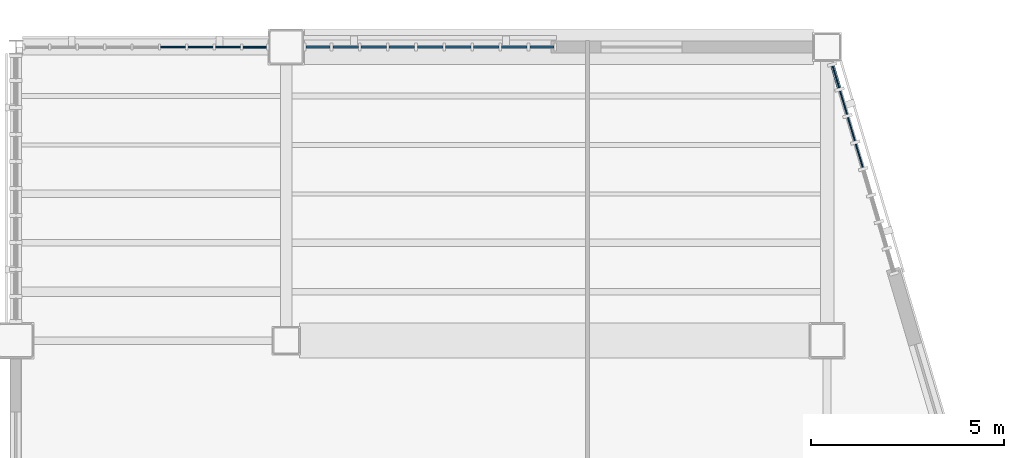
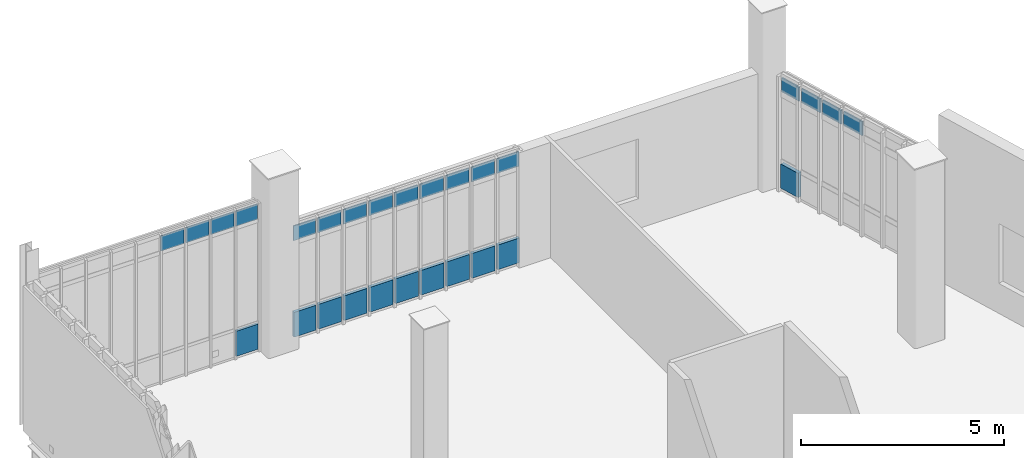
# One storey, part 103 of 127: 28 plates, 3 elements without a shape of their own.
"""IFC4 building model written with IfcOpenShell, lengths in metres."""

import ifcopenshell
import ifcopenshell.guid

model = None  # the IFC model being written
_history = None  # IfcOwnerHistory: only IFC2X3 demands one
_inside = {}  # id of a spatial element -> (the spatial element, [elements in it])
_under = {}  # id of a project, library or spatial element -> (it, [spatial elements below it])
_declared = {}  # id of a project -> (the project, [libraries it declares])
_typed = {}  # id of a type object -> (the type object, [elements of that type])
_made_of = {}  # id of a material, layer set ... -> (it, [elements and type objects made of it])


def new_model(schema):
    """Start an empty IFC model of exactly this schema.

    Asked for "IFC4X3", IfcOpenShell would pick the latest addendum, in which some entities
    have other attributes; the version numbers below select the first issue.
    IFC2X3 requires an IfcOwnerHistory on every rooted entity: one is made here for all.
    """
    global model, _history
    if schema == "IFC4X3":
        model = ifcopenshell.file(schema_version=(4, 3, 0, 0))
    else:
        model = ifcopenshell.file(schema=schema)
    _inside.clear()
    _under.clear()
    _declared.clear()
    _typed.clear()
    _made_of.clear()
    _history = None
    if model.schema == "IFC2X3":
        org = make("IfcOrganization", Name="unknown")
        user = make(
            "IfcPersonAndOrganization",
            ThePerson=make("IfcPerson", FamilyName="unknown"),
            TheOrganization=org,
        )
        app = make(
            "IfcApplication",
            ApplicationDeveloper=org,
            Version="unknown",
            ApplicationFullName="unknown",
            ApplicationIdentifier="unknown",
        )
        _history = make(
            "IfcOwnerHistory",
            OwningUser=user,
            OwningApplication=app,
            ChangeAction="ADDED",
            CreationDate=0,
        )
    return model


def make(cls, **values):
    """One entity of the class cls with the attributes given. An attribute that is None is left unset."""
    return model.create_entity(
        cls, **{name: value for name, value in values.items() if value is not None}
    )


def rooted(cls, **values):
    """An entity with a GlobalId (a new one), such as an element, a storey or a relation."""
    return make(cls, GlobalId=ifcopenshell.guid.new(), OwnerHistory=_history, **values)


def si_unit(unit_type, name, prefix=None):
    """IfcSIUnit, for example si_unit("LENGTHUNIT", "METRE", prefix="MILLI")."""
    return make("IfcSIUnit", UnitType=unit_type, Prefix=prefix, Name=name)


def assignment(units):
    """IfcUnitAssignment: the units of a project."""
    return None if units is None else make("IfcUnitAssignment", Units=units)


def point(xyz):
    """IfcCartesianPoint."""
    return None if xyz is None else make("IfcCartesianPoint", Coordinates=xyz)


def direction(xyz):
    """IfcDirection."""
    return None if xyz is None else make("IfcDirection", DirectionRatios=xyz)


def frame(location, z_axis=None, x_axis=None):
    """IfcAxis2Placement3D, a coordinate frame: its origin and axes. An axis left out is left unset."""
    return make(
        "IfcAxis2Placement3D",
        Location=point(location),
        Axis=direction(z_axis),
        RefDirection=direction(x_axis),
    )


def frame_2d(location, x_axis=None):
    """IfcAxis2Placement2D, a coordinate frame in the plane: its origin and x axis."""
    return make(
        "IfcAxis2Placement2D", Location=point(location), RefDirection=direction(x_axis)
    )


def origin():
    """The frame at (0, 0, 0) with its axes left unset."""
    return frame((0.0, 0.0, 0.0))


def origin_2d():
    """The frame at (0, 0) in the plane with its x axis left unset."""
    return frame_2d((0.0, 0.0))


def place(relative_to, where):
    """IfcLocalPlacement: puts the frame where relative to a parent placement (None: the world)."""
    return make(
        "IfcLocalPlacement", PlacementRelTo=relative_to, RelativePlacement=where
    )


def context(
    kind, dimensions, precision=None, world=None, true_north=None, identifier=None
):
    """IfcGeometricRepresentationContext, for example the 3D "Model" context."""
    return make(
        "IfcGeometricRepresentationContext",
        ContextIdentifier=identifier,
        ContextType=kind,
        CoordinateSpaceDimension=dimensions,
        Precision=precision,
        WorldCoordinateSystem=world,
        TrueNorth=true_north,
    )


def subcontext(parent, identifier, kind, view, scale=None):
    """IfcGeometricRepresentationSubContext, for example "Body" below "Model"."""
    return make(
        "IfcGeometricRepresentationSubContext",
        ContextIdentifier=identifier,
        ContextType=kind,
        ParentContext=parent,
        TargetScale=scale,
        TargetView=view,
    )


def project(units=None, contexts=None):
    """IfcProject with its units and contexts."""
    return rooted(
        "IfcProject",
        Name="project",
        RepresentationContexts=contexts,
        UnitsInContext=assignment(units),
    )


def spatial(cls, under=None, at=None, **own):
    """A site, building, storey or space (cls), placed at a placement, below another one or the project."""
    s = rooted(cls, ObjectPlacement=at, **own)
    if under is not None:
        _under.setdefault(under.id(), (under, []))[1].append(s)
    return s


def profile(cls, at=None, kind="AREA", **sizes):
    """A parametric profile (cls). Its sizes go by their IFC names, for example OverallWidth=200.0."""
    return make(cls, ProfileType=kind, Position=at, **sizes)


def rectangle(**sizes):
    """IfcRectangleProfileDef."""
    return profile("IfcRectangleProfileDef", **sizes)


def extrude(swept, where, along, depth):
    """IfcExtrudedAreaSolid: the profile swept, set in the frame where, extruded along a direction by depth."""
    return make(
        "IfcExtrudedAreaSolid",
        SweptArea=swept,
        Position=where,
        ExtrudedDirection=direction(along),
        Depth=depth,
    )


def shape(context_of_items, identifier, shape_type, items):
    """IfcShapeRepresentation: the items that make up one representation, for example the "Body"."""
    return make(
        "IfcShapeRepresentation",
        ContextOfItems=context_of_items,
        RepresentationIdentifier=identifier,
        RepresentationType=shape_type,
        Items=items,
    )


def material(Name=None, Category=None):
    """IfcMaterial."""
    return make("IfcMaterial", Name=Name, Category=Category)


def layer(
    of_material, thickness, ventilated=None, Name=None, Category=None, Priority=None
):
    """IfcMaterialLayer: one layer of a wall or slab, of a material (None: an air gap)."""
    return make(
        "IfcMaterialLayer",
        Material=of_material,
        LayerThickness=thickness,
        IsVentilated=ventilated,
        Name=Name,
        Category=Category,
        Priority=Priority,
    )


def layer_set(layers, Name=None):
    """IfcMaterialLayerSet."""
    return make("IfcMaterialLayerSet", MaterialLayers=layers, LayerSetName=Name)


def made_of(thing, what):
    """Note that an element or type object is made of a material, layer set ...; save() writes the relation."""
    if what is not None:
        _made_of.setdefault(what.id(), (what, []))[1].append(thing)
    return thing


def type_object(cls, material=None, **own):
    """A type object (cls), such as IfcWallType, which elements share."""
    return made_of(rooted(cls, **own), material)


def element(
    cls,
    number,
    at=None,
    inside=None,
    cuts=None,
    type_object=None,
    material=None,
    context=None,
    identifier="Body",
    shape_type=None,
    held_by="IfcProductDefinitionShape",
    body=None,
    shapes=None,
    **own,
):
    """One element of the class cls, such as IfcWall. Its Tag is "e" and its number.

    at: its placement. inside: the storey or other place that contains it. cuts: it is an
    opening in that element (IfcRelVoidsElement). A single representation is given by context,
    identifier, shape_type and body (its items); several are given by shapes. held_by: the class
    of the entity that holds the representations. save() writes the other relations.
    """
    e = rooted(cls, Tag="e%d" % number, ObjectPlacement=at, **own)
    if body is not None:
        shapes = [shape(context, identifier, shape_type, body)]
    if shapes is not None:
        e.Representation = make(held_by, Representations=shapes)
    if inside is not None:
        _inside.setdefault(inside.id(), (inside, []))[1].append(e)
    if cuts is not None:
        rooted(
            "IfcRelVoidsElement", RelatingBuildingElement=cuts, RelatedOpeningElement=e
        )
    if type_object is not None:
        _typed.setdefault(type_object.id(), (type_object, []))[1].append(e)
    return made_of(e, material)


def aggregate(whole, parts):
    """IfcRelAggregates: a whole, such as a stair, and the parts it consists of."""
    return rooted("IfcRelAggregates", RelatingObject=whole, RelatedObjects=parts)


def save(model, path):
    """Write the relations noted so far, then the file.

    IfcRelAggregates (storeys below a building ...), IfcRelContainedInSpatialStructure (elements
    in a storey), IfcRelDefinesByType, IfcRelAssociatesMaterial and IfcRelDeclares: one each for
    every whole, place, type object, material and project.
    """
    for whole, parts in _under.values():
        aggregate(whole, parts)
    for where, things in _inside.values():
        rooted(
            "IfcRelContainedInSpatialStructure",
            RelatedElements=things,
            RelatingStructure=where,
        )
    for kind, things in _typed.values():
        rooted("IfcRelDefinesByType", RelatedObjects=things, RelatingType=kind)
    for what, things in _made_of.values():
        rooted("IfcRelAssociatesMaterial", RelatedObjects=things, RelatingMaterial=what)
    for by, libraries in _declared.values():
        rooted("IfcRelDeclares", RelatingContext=by, RelatedDefinitions=libraries)
    model.write(path)


model = new_model("IFC4")

# Units and contexts
model_context = context("Model", 3, precision=1e-05, world=origin(), true_north=direction((0.0, 1.0)))
body_context = subcontext(model_context, "Body", "Model", "MODEL_VIEW")
ifc_project = project(units=[si_unit("LENGTHUNIT", "METRE"), si_unit("AREAUNIT", "SQUARE_METRE"), si_unit("VOLUMEUNIT", "CUBIC_METRE"), si_unit("PLANEANGLEUNIT", "RADIAN"), si_unit("MASSUNIT", "GRAM", prefix="KILO")], contexts=[model_context])

# Site, building, storey
site_placement = place(None, origin())
site = spatial("IfcSite", under=ifc_project, at=site_placement, CompositionType="ELEMENT")
building_placement = place(site_placement, origin())
building = spatial("IfcBuilding", under=site, at=building_placement, Name="Larkvane Passage Sports Hall", CompositionType="ELEMENT")
storey_placement = place(building_placement, frame((0.0, 0.0, 5.39990234375)))
storey = spatial("IfcBuildingStorey", under=building, at=storey_placement, Name="L01", CompositionType="ELEMENT", Elevation=5.39990234375)

# Curtain wall, plate
ifc_material_1 = material(Name="Thermally broken aluminium and low-E glazing", Category="aluminium")
curtain_wall_type_1 = type_object("IfcCurtainWallType", Name="CW-STICK-FOYER", PredefinedType="USERDEFINED", material=ifc_material_1)
curtain_wall_1_placement = place(storey_placement, origin())
curtain_wall_1 = element("IfcCurtainWall", 1, at=curtain_wall_1_placement, inside=storey, type_object=curtain_wall_type_1, Name="Curtain wall CW5-L01-054", ObjectType="STICK CURTAIN WALL", PredefinedType="USERDEFINED")
ifc_material_2 = material(Name="Fire-stopped shadow-box spandrel panel")
ifc_layer_1 = layer(ifc_material_2, 0.10498046875)
ifc_layer_set_1 = layer_set([ifc_layer_1], Name="Fire-stopped shadow-box spandrel panel")
plate_type_1 = type_object("IfcPlateType", Name="CWP-SPD-105", PredefinedType="CURTAIN_PANEL", material=ifc_layer_set_1)
plate_1_placement = place(storey_placement, frame((145.830078125, 98.424560546875, 0.080078125), z_axis=(0.0, 0.0, 1.0), x_axis=(0.28436317806, -0.958716633299, 0.0)))
plate_1 = element("IfcPlate", 2, at=plate_1_placement, type_object=plate_type_1, Name="CW-03 panel 1.1", PredefinedType="CURTAIN_PANEL", context=body_context, shape_type="SweptSolid", body=[
    extrude(rectangle(XDim=0.595458984375, YDim=0.10498046875, at=origin_2d()), origin(), (0.0, 0.0, 1.0), 0.72998046875),
])

curtain_wall_type_2 = type_object("IfcCurtainWallType", Name="CW-UNIT-COURT", PredefinedType="USERDEFINED", material=ifc_material_1)
curtain_wall_2_placement = place(storey_placement, origin())
curtain_wall_2 = element("IfcCurtainWall", 3, at=curtain_wall_2_placement, inside=storey, type_object=curtain_wall_type_2, Name="Curtain wall CW5-L01-052", ObjectType="UNITISED CURTAIN WALL", PredefinedType="USERDEFINED")
ifc_material_3 = material(Name="Insulated aluminium spandrel panel", Category="aluminium")
ifc_layer_2 = layer(ifc_material_3, 0.06494140625)
ifc_layer_set_2 = layer_set([ifc_layer_2], Name="Insulated aluminium spandrel panel")
plate_type_2 = type_object("IfcPlateType", Name="CWP-SPD-65", PredefinedType="CURTAIN_PANEL", material=ifc_layer_set_2)
plate_2_placement = place(storey_placement, frame((130.784423828125, 99.199951171875, 0.06005859375), z_axis=(0.0, 0.0, 1.0), x_axis=(1.0, 0.0, 0.0)))
plate_2 = element("IfcPlate", 4, at=plate_2_placement, type_object=plate_type_2, Name="CW-01 panel 9.1", PredefinedType="CURTAIN_PANEL", context=body_context, shape_type="SweptSolid", body=[
    extrude(rectangle(XDim=0.619140625, YDim=0.06494140625, at=origin_2d()), origin(), (0.0, 0.0, 1.0), 0.760009765625),
])

# Curtain wall, plates
curtain_wall_type_3 = type_object("IfcCurtainWallType", Name="CW-UNIT-VEIL", PredefinedType="USERDEFINED", material=ifc_material_1)
curtain_wall_3_placement = place(storey_placement, origin())
curtain_wall_3 = element("IfcCurtainWall", 5, at=curtain_wall_3_placement, inside=storey, type_object=curtain_wall_type_3, Name="Curtain wall CW5-L01-053", ObjectType="UNITISED CURTAIN WALL", PredefinedType="USERDEFINED")
ifc_material_4 = material(Name="Mineral-wool insulated spandrel cassette")
ifc_layer_3 = layer(ifc_material_4, 0.0849609375)
ifc_layer_set_3 = layer_set([ifc_layer_3], Name="Mineral-wool insulated spandrel cassette")
plate_type_3 = type_object("IfcPlateType", Name="CWP-SPD-85", PredefinedType="CURTAIN_PANEL", material=ifc_layer_set_3)
plate_3_placement = place(storey_placement, frame((132.427490234375, 99.199951171875, 0.070068359375), z_axis=(0.0, 0.0, 1.0), x_axis=(1.0, 0.0, 0.0)))
plate_3 = element("IfcPlate", 6, at=plate_3_placement, type_object=plate_type_3, Name="CW-02 panel 1.1", PredefinedType="CURTAIN_PANEL", context=body_context, shape_type="SweptSolid", body=[
    extrude(rectangle(XDim=0.623291015625, YDim=0.0849609375, at=origin_2d()), origin(), (0.0, 0.0, 1.0), 0.7451171875),
])
plate_4_placement = place(storey_placement, frame((133.138427734375, 99.199951171875, 0.070068359375), z_axis=(0.0, 0.0, 1.0), x_axis=(1.0, 0.0, 0.0)))
plate_4 = element("IfcPlate", 7, at=plate_4_placement, type_object=plate_type_3, Name="CW-02 panel 2.1", PredefinedType="CURTAIN_PANEL", context=body_context, shape_type="SweptSolid", body=[
    extrude(rectangle(XDim=0.658203125, YDim=0.0849609375, at=origin_2d()), origin(), (0.0, 0.0, 1.0), 0.7451171875),
])
plate_5_placement = place(storey_placement, frame((133.866455078125, 99.199951171875, 0.070068359375), z_axis=(0.0, 0.0, 1.0), x_axis=(1.0, 0.0, 0.0)))
plate_5 = element("IfcPlate", 8, at=plate_5_placement, type_object=plate_type_3, Name="CW-02 panel 3.1", PredefinedType="CURTAIN_PANEL", context=body_context, shape_type="SweptSolid", body=[
    extrude(rectangle(XDim=0.658203125, YDim=0.0849609375, at=origin_2d()), origin(), (0.0, 0.0, 1.0), 0.7451171875),
])
plate_6_placement = place(storey_placement, frame((134.5947265625, 99.199951171875, 0.070068359375), z_axis=(0.0, 0.0, 1.0), x_axis=(1.0, 0.0, 0.0)))
plate_6 = element("IfcPlate", 9, at=plate_6_placement, type_object=plate_type_3, Name="CW-02 panel 4.1", PredefinedType="CURTAIN_PANEL", context=body_context, shape_type="SweptSolid", body=[
    extrude(rectangle(XDim=0.658203125, YDim=0.0849609375, at=origin_2d()), origin(), (0.0, 0.0, 1.0), 0.7451171875),
])
plate_7_placement = place(storey_placement, frame((135.322998046875, 99.199951171875, 0.070068359375), z_axis=(0.0, 0.0, 1.0), x_axis=(1.0, 0.0, 0.0)))
plate_7 = element("IfcPlate", 10, at=plate_7_placement, type_object=plate_type_3, Name="CW-02 panel 5.1", PredefinedType="CURTAIN_PANEL", context=body_context, shape_type="SweptSolid", body=[
    extrude(rectangle(XDim=0.658203125, YDim=0.0849609375, at=origin_2d()), origin(), (0.0, 0.0, 1.0), 0.7451171875),
])
plate_8_placement = place(storey_placement, frame((136.05126953125, 99.199951171875, 0.070068359375), z_axis=(0.0, 0.0, 1.0), x_axis=(1.0, 0.0, 0.0)))
plate_8 = element("IfcPlate", 11, at=plate_8_placement, type_object=plate_type_3, Name="CW-02 panel 6.1", PredefinedType="CURTAIN_PANEL", context=body_context, shape_type="SweptSolid", body=[
    extrude(rectangle(XDim=0.658203125, YDim=0.0849609375, at=origin_2d()), origin(), (0.0, 0.0, 1.0), 0.7451171875),
])
plate_9_placement = place(storey_placement, frame((136.779541015625, 99.199951171875, 0.070068359375), z_axis=(0.0, 0.0, 1.0), x_axis=(1.0, 0.0, 0.0)))
plate_9 = element("IfcPlate", 12, at=plate_9_placement, type_object=plate_type_3, Name="CW-02 panel 7.1", PredefinedType="CURTAIN_PANEL", context=body_context, shape_type="SweptSolid", body=[
    extrude(rectangle(XDim=0.658203125, YDim=0.0849609375, at=origin_2d()), origin(), (0.0, 0.0, 1.0), 0.7451171875),
])
plate_10_placement = place(storey_placement, frame((137.507568359375, 99.199951171875, 0.070068359375), z_axis=(0.0, 0.0, 1.0), x_axis=(1.0, 0.0, 0.0)))
plate_10 = element("IfcPlate", 13, at=plate_10_placement, type_object=plate_type_3, Name="CW-02 panel 8.1", PredefinedType="CURTAIN_PANEL", context=body_context, shape_type="SweptSolid", body=[
    extrude(rectangle(XDim=0.658203125, YDim=0.0849609375, at=origin_2d()), origin(), (0.0, 0.0, 1.0), 0.7451171875),
])
plate_11_placement = place(storey_placement, frame((138.218505859375, 99.199951171875, 0.070068359375), z_axis=(0.0, 0.0, 1.0), x_axis=(1.0, 0.0, 0.0)))
plate_11 = element("IfcPlate", 14, at=plate_11_placement, type_object=plate_type_3, Name="CW-02 panel 9.1", PredefinedType="CURTAIN_PANEL", context=body_context, shape_type="SweptSolid", body=[
    extrude(rectangle(XDim=0.623291015625, YDim=0.0849609375, at=origin_2d()), origin(), (0.0, 0.0, 1.0), 0.7451171875),
])

# Plate
ifc_material_5 = material(Name="Solar-control low-E double glazing", Category="glass")
ifc_layer_4 = layer(ifc_material_5, 0.028076171875)
ifc_layer_set_4 = layer_set([ifc_layer_4], Name="Solar-control low-E double glazing")
plate_type_4 = type_object("IfcPlateType", Name="CWP-VIS-28", PredefinedType="CURTAIN_PANEL", material=ifc_layer_set_4)
plate_12_placement = place(storey_placement, frame((128.671630859375, 99.199951171875, 3.960205078125), z_axis=(0.0, 0.0, 1.0), x_axis=(1.0, 0.0, 0.0)))
plate_12 = element("IfcPlate", 15, at=plate_12_placement, type_object=plate_type_4, Name="CW-01 panel 6.3", PredefinedType="CURTAIN_PANEL", context=body_context, shape_type="SweptSolid", body=[
    extrude(rectangle(XDim=0.649169921875, YDim=0.028076171875, at=origin_2d()), origin(), (0.0, 0.0, 1.0), 0.4599609375),
])

plate_13_placement = place(storey_placement, frame((129.380859375, 99.199951171875, 3.960205078125), z_axis=(0.0, 0.0, 1.0), x_axis=(1.0, 0.0, 0.0)))
plate_13 = element("IfcPlate", 16, at=plate_13_placement, type_object=plate_type_4, Name="CW-01 panel 7.3", PredefinedType="CURTAIN_PANEL", context=body_context, shape_type="SweptSolid", body=[
    extrude(rectangle(XDim=0.649169921875, YDim=0.028076171875, at=origin_2d()), origin(), (0.0, 0.0, 1.0), 0.4599609375),
])

plate_14_placement = place(storey_placement, frame((130.090087890625, 99.199951171875, 3.960205078125), z_axis=(0.0, 0.0, 1.0), x_axis=(1.0, 0.0, 0.0)))
plate_14 = element("IfcPlate", 17, at=plate_14_placement, type_object=plate_type_4, Name="CW-01 panel 8.3", PredefinedType="CURTAIN_PANEL", context=body_context, shape_type="SweptSolid", body=[
    extrude(rectangle(XDim=0.649169921875, YDim=0.028076171875, at=origin_2d()), origin(), (0.0, 0.0, 1.0), 0.4599609375),
])

plate_15_placement = place(storey_placement, frame((130.784423828125, 99.199951171875, 3.960205078125), z_axis=(0.0, 0.0, 1.0), x_axis=(1.0, 0.0, 0.0)))
plate_15 = element("IfcPlate", 18, at=plate_15_placement, type_object=plate_type_4, Name="CW-01 panel 9.3", PredefinedType="CURTAIN_PANEL", context=body_context, shape_type="SweptSolid", body=[
    extrude(rectangle(XDim=0.619140625, YDim=0.028076171875, at=origin_2d()), origin(), (0.0, 0.0, 1.0), 0.4599609375),
])

aggregate(curtain_wall_2, [plate_12, plate_13, plate_14, plate_2, plate_15])

ifc_material_6 = material(Name="Laminated acoustic low-E glazing", Category="glass")
ifc_layer_5 = layer(ifc_material_6, 0.031982421875)
ifc_layer_set_5 = layer_set([ifc_layer_5], Name="Laminated acoustic low-E glazing")
plate_type_5 = type_object("IfcPlateType", Name="CWP-VIS-32", PredefinedType="CURTAIN_PANEL", material=ifc_layer_set_5)
plate_16_placement = place(storey_placement, frame((132.427490234375, 99.199951171875, 2.953125), z_axis=(0.0, 0.0, 1.0), x_axis=(1.0, 0.0, 0.0)))
plate_16 = element("IfcPlate", 19, at=plate_16_placement, type_object=plate_type_5, Name="CW-02 panel 1.3", PredefinedType="CURTAIN_PANEL", context=body_context, shape_type="SweptSolid", body=[
    extrude(rectangle(XDim=0.623291015625, YDim=0.031982421875, at=origin_2d()), origin(), (0.0, 0.0, 1.0), 0.445068359375),
])

plate_17_placement = place(storey_placement, frame((133.138427734375, 99.199951171875, 2.953125), z_axis=(0.0, 0.0, 1.0), x_axis=(1.0, 0.0, 0.0)))
plate_17 = element("IfcPlate", 20, at=plate_17_placement, type_object=plate_type_5, Name="CW-02 panel 2.3", PredefinedType="CURTAIN_PANEL", context=body_context, shape_type="SweptSolid", body=[
    extrude(rectangle(XDim=0.658203125, YDim=0.031982421875, at=origin_2d()), origin(), (0.0, 0.0, 1.0), 0.445068359375),
])

plate_18_placement = place(storey_placement, frame((133.866455078125, 99.199951171875, 2.953125), z_axis=(0.0, 0.0, 1.0), x_axis=(1.0, 0.0, 0.0)))
plate_18 = element("IfcPlate", 21, at=plate_18_placement, type_object=plate_type_5, Name="CW-02 panel 3.3", PredefinedType="CURTAIN_PANEL", context=body_context, shape_type="SweptSolid", body=[
    extrude(rectangle(XDim=0.658203125, YDim=0.031982421875, at=origin_2d()), origin(), (0.0, 0.0, 1.0), 0.445068359375),
])

plate_19_placement = place(storey_placement, frame((134.5947265625, 99.199951171875, 2.953125), z_axis=(0.0, 0.0, 1.0), x_axis=(1.0, 0.0, 0.0)))
plate_19 = element("IfcPlate", 22, at=plate_19_placement, type_object=plate_type_5, Name="CW-02 panel 4.3", PredefinedType="CURTAIN_PANEL", context=body_context, shape_type="SweptSolid", body=[
    extrude(rectangle(XDim=0.658203125, YDim=0.031982421875, at=origin_2d()), origin(), (0.0, 0.0, 1.0), 0.445068359375),
])

plate_20_placement = place(storey_placement, frame((135.322998046875, 99.199951171875, 2.953125), z_axis=(0.0, 0.0, 1.0), x_axis=(1.0, 0.0, 0.0)))
plate_20 = element("IfcPlate", 23, at=plate_20_placement, type_object=plate_type_5, Name="CW-02 panel 5.3", PredefinedType="CURTAIN_PANEL", context=body_context, shape_type="SweptSolid", body=[
    extrude(rectangle(XDim=0.658203125, YDim=0.031982421875, at=origin_2d()), origin(), (0.0, 0.0, 1.0), 0.445068359375),
])

plate_21_placement = place(storey_placement, frame((136.05126953125, 99.199951171875, 2.953125), z_axis=(0.0, 0.0, 1.0), x_axis=(1.0, 0.0, 0.0)))
plate_21 = element("IfcPlate", 24, at=plate_21_placement, type_object=plate_type_5, Name="CW-02 panel 6.3", PredefinedType="CURTAIN_PANEL", context=body_context, shape_type="SweptSolid", body=[
    extrude(rectangle(XDim=0.658203125, YDim=0.031982421875, at=origin_2d()), origin(), (0.0, 0.0, 1.0), 0.445068359375),
])

plate_22_placement = place(storey_placement, frame((136.779541015625, 99.199951171875, 2.953125), z_axis=(0.0, 0.0, 1.0), x_axis=(1.0, 0.0, 0.0)))
plate_22 = element("IfcPlate", 25, at=plate_22_placement, type_object=plate_type_5, Name="CW-02 panel 7.3", PredefinedType="CURTAIN_PANEL", context=body_context, shape_type="SweptSolid", body=[
    extrude(rectangle(XDim=0.658203125, YDim=0.031982421875, at=origin_2d()), origin(), (0.0, 0.0, 1.0), 0.445068359375),
])

plate_23_placement = place(storey_placement, frame((137.507568359375, 99.199951171875, 2.953125), z_axis=(0.0, 0.0, 1.0), x_axis=(1.0, 0.0, 0.0)))
plate_23 = element("IfcPlate", 26, at=plate_23_placement, type_object=plate_type_5, Name="CW-02 panel 8.3", PredefinedType="CURTAIN_PANEL", context=body_context, shape_type="SweptSolid", body=[
    extrude(rectangle(XDim=0.658203125, YDim=0.031982421875, at=origin_2d()), origin(), (0.0, 0.0, 1.0), 0.445068359375),
])

plate_24_placement = place(storey_placement, frame((138.218505859375, 99.199951171875, 2.953125), z_axis=(0.0, 0.0, 1.0), x_axis=(1.0, 0.0, 0.0)))
plate_24 = element("IfcPlate", 27, at=plate_24_placement, type_object=plate_type_5, Name="CW-02 panel 9.3", PredefinedType="CURTAIN_PANEL", context=body_context, shape_type="SweptSolid", body=[
    extrude(rectangle(XDim=0.623291015625, YDim=0.031982421875, at=origin_2d()), origin(), (0.0, 0.0, 1.0), 0.445068359375),
])

aggregate(curtain_wall_3, [plate_3, plate_16, plate_4, plate_17, plate_5, plate_18, plate_6, plate_19, plate_7, plate_20, plate_8, plate_21, plate_9, plate_22, plate_10, plate_23, plate_11, plate_24])

ifc_material_7 = material(Name="High-impact court low-E glazing", Category="glass")
ifc_layer_6 = layer(ifc_material_7, 0.035888671875)
ifc_layer_set_6 = layer_set([ifc_layer_6], Name="High-impact court low-E glazing")
plate_type_6 = type_object("IfcPlateType", Name="CWP-VIS-36", PredefinedType="CURTAIN_PANEL", material=ifc_layer_set_6)
plate_25_placement = place(storey_placement, frame((145.830078125, 98.424560546875, 2.9580078125), z_axis=(0.0, 0.0, 1.0), x_axis=(0.28436317806, -0.958716633299, 0.0)))
plate_25 = element("IfcPlate", 28, at=plate_25_placement, type_object=plate_type_6, Name="CW-03 panel 1.3", PredefinedType="CURTAIN_PANEL", context=body_context, shape_type="SweptSolid", body=[
    extrude(rectangle(XDim=0.595458984375, YDim=0.035888671875, at=origin_2d()), origin(), (0.0, 0.0, 1.0), 0.429931640625),
])

plate_26_placement = place(storey_placement, frame((146.02783203125, 97.758056640625, 2.9580078125), z_axis=(0.0, 0.0, 1.0), x_axis=(0.28436317806, -0.958716633299, 0.0)))
plate_26 = element("IfcPlate", 29, at=plate_26_placement, type_object=plate_type_6, Name="CW-03 panel 2.3", PredefinedType="CURTAIN_PANEL", context=body_context, shape_type="SweptSolid", body=[
    extrude(rectangle(XDim=0.63525390625, YDim=0.035888671875, at=origin_2d()), origin(), (0.0, 0.0, 1.0), 0.429931640625),
])

plate_27_placement = place(storey_placement, frame((146.231201171875, 97.072021484375, 2.9580078125), z_axis=(0.0, 0.0, 1.0), x_axis=(0.28436317806, -0.958716633299, 0.0)))
plate_27 = element("IfcPlate", 30, at=plate_27_placement, type_object=plate_type_6, Name="CW-03 panel 3.3", PredefinedType="CURTAIN_PANEL", context=body_context, shape_type="SweptSolid", body=[
    extrude(rectangle(XDim=0.63525390625, YDim=0.035888671875, at=origin_2d()), origin(), (0.0, 0.0, 1.0), 0.429931640625),
])

plate_28_placement = place(storey_placement, frame((146.4345703125, 96.38623046875, 2.9580078125), z_axis=(0.0, 0.0, 1.0), x_axis=(0.28436317806, -0.958716633299, 0.0)))
plate_28 = element("IfcPlate", 31, at=plate_28_placement, type_object=plate_type_6, Name="CW-03 panel 4.3", PredefinedType="CURTAIN_PANEL", context=body_context, shape_type="SweptSolid", body=[
    extrude(rectangle(XDim=0.63525390625, YDim=0.035888671875, at=origin_2d()), origin(), (0.0, 0.0, 1.0), 0.429931640625),
])

aggregate(curtain_wall_1, [plate_1, plate_25, plate_26, plate_27, plate_28])

save(model, "model.ifc")
